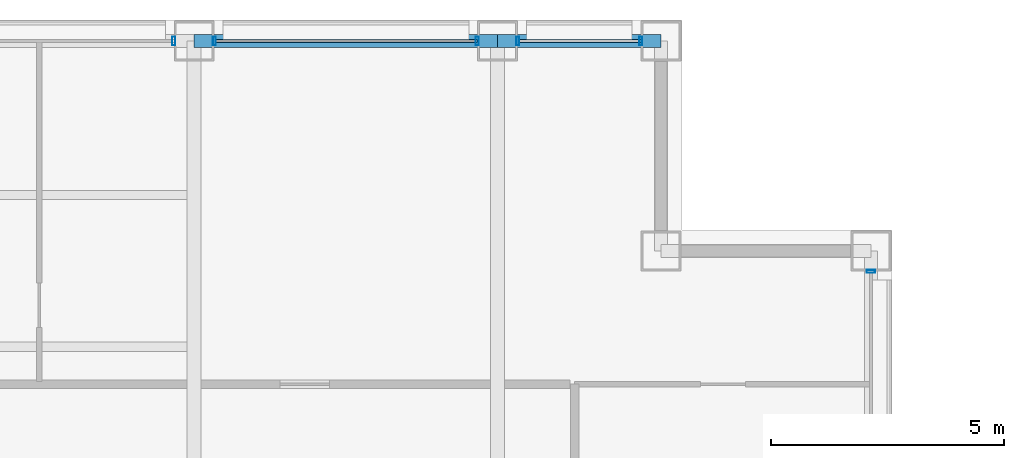
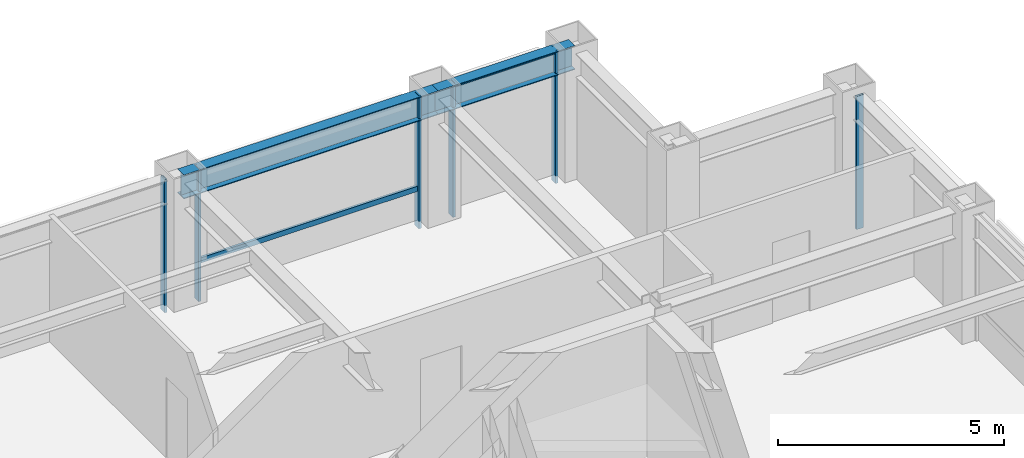
# One storey, part 21 of 29: 8 members, 2 beams, 4 elements without a shape of their own.
"""IFC4 building model written with IfcOpenShell, lengths in metres."""

from ifc_helpers import new_model, si_unit, direction, frame, origin, origin_2d, place, context, subcontext, project, spatial, hollow_rectangle, i_section, extrude, material, layer, layer_set, material_profile, profile_set, type_object, element, aggregate, save


model = new_model("IFC4")

# Units and contexts
model_context = context("Model", 3, precision=1e-05, world=origin(), true_north=direction((0.0, 1.0)))
body_context = subcontext(model_context, "Body", "Model", "MODEL_VIEW")
ifc_project = project(units=[si_unit("LENGTHUNIT", "METRE"), si_unit("AREAUNIT", "SQUARE_METRE"), si_unit("VOLUMEUNIT", "CUBIC_METRE"), si_unit("PLANEANGLEUNIT", "RADIAN"), si_unit("MASSUNIT", "GRAM", prefix="KILO")], contexts=[model_context])

# Site, building, storey
site_placement = place(None, origin())
site = spatial("IfcSite", under=ifc_project, at=site_placement, CompositionType="ELEMENT")
building_placement = place(site_placement, origin())
building = spatial("IfcBuilding", under=site, at=building_placement, Name="Brelmoor Portico Tower", CompositionType="ELEMENT")
storey_placement = place(building_placement, frame((0.0, 0.0, 95.39990234375)))
storey = spatial("IfcBuildingStorey", under=building, at=storey_placement, Name="L24", CompositionType="ELEMENT", Elevation=95.39990234375)

# Beams
ifc_material_1 = material(Name="Steel Q355B", Category="steel")
ifc_material_profile_1 = material_profile(ifc_material_1, i_section(OverallWidth=0.280029296875, OverallDepth=0.64990234375, WebThickness=0.012939453125, FlangeThickness=0.02197265625, at=origin_2d()), Name="HN 650x280x13x22")
ifc_profile_set_1 = profile_set([ifc_material_profile_1], Name="Steel Q355B")
beam_type = type_object("IfcBeamType", Name="BM-SP-650", PredefinedType="SPANDREL", material=ifc_profile_set_1)
beam_1_placement = place(storey_placement, frame((8.050048828125, 19.550048828125, 3.0751953125), z_axis=(1.0, 0.0, 0.0), x_axis=(0.0, 1.0, 0.0)))
element("IfcBeam", 1, at=beam_1_placement, inside=storey, type_object=beam_type, Name="L24 Perimeter Spandrel Beam SP-13", PredefinedType="SPANDREL", context=body_context, shape_type="SweptSolid", body=[
    extrude(i_section(OverallWidth=0.280029296875, OverallDepth=0.64990234375, WebThickness=0.012939453125, FlangeThickness=0.02197265625, at=origin_2d()), origin(), (0.0, 0.0, 1.0), 6.5),
])
beam_2_placement = place(storey_placement, frame((14.550048828125, 19.550048828125, 3.0751953125), z_axis=(1.0, 0.0, 0.0), x_axis=(0.0, 1.0, 0.0)))
element("IfcBeam", 2, at=beam_2_placement, inside=storey, type_object=beam_type, Name="L24 Perimeter Spandrel Beam SP-14", PredefinedType="SPANDREL", context=body_context, shape_type="SweptSolid", body=[
    extrude(i_section(OverallWidth=0.280029296875, OverallDepth=0.64990234375, WebThickness=0.012939453125, FlangeThickness=0.02197265625, at=origin_2d()), origin(), (0.0, 0.0, 1.0), 3.5),
])

# Curtain wall, member
ifc_material_2 = material(Name="Anodised Aluminium Alloy 6063-T6", Category="aluminium")
ifc_layer_1 = layer(ifc_material_2, 0.179931640625)
ifc_layer_set_1 = layer_set([ifc_layer_1], Name="Anodised Aluminium Alloy 6063-T6")
curtain_wall_type_1 = type_object("IfcCurtainWallType", Name="CW-TOWER-Z2-XB", PredefinedType="NOTDEFINED", material=ifc_layer_set_1)
curtain_wall_1_placement = place(storey_placement, origin())
curtain_wall_1 = element("IfcCurtainWall", 3, at=curtain_wall_1_placement, inside=storey, type_object=curtain_wall_type_1, Name="L24 Curtain Wall CW-L24-02-3", PredefinedType="NOTDEFINED")
ifc_material_profile_2 = material_profile(ifc_material_2, hollow_rectangle(XDim=0.06494140625, YDim=0.179931640625, WallThickness=0.00390625, at=origin_2d()), Name="ALU MULLION 65x180")
ifc_profile_set_2 = profile_set([ifc_material_profile_2], Name="Anodised Aluminium Alloy 6063-T6")
member_type_1 = type_object("IfcMemberType", Name="MB-CW-MULL-180", PredefinedType="MULLION", material=ifc_profile_set_2)
member_1_placement = place(storey_placement, frame((7.614990234375, 19.550048828125, -0.199951171875), z_axis=(0.0, 0.0, 1.0), x_axis=(1.0, 0.0, 0.0)))
member_1 = element("IfcMember", 4, at=member_1_placement, type_object=member_type_1, Name="CW-L24-02-3 Mullion 01", PredefinedType="MULLION", context=body_context, shape_type="SweptSolid", body=[
    extrude(hollow_rectangle(XDim=0.06494140625, YDim=0.179931640625, WallThickness=0.00390625, at=origin_2d()), origin(), (0.0, 0.0, 1.0), 3.60009765625),
])
aggregate(curtain_wall_1, [member_1])

# Curtain wall, members
ifc_layer_2 = layer(ifc_material_2, 0.179931640625)
ifc_layer_set_2 = layer_set([ifc_layer_2], Name="Anodised Aluminium Alloy 6063-T6")
curtain_wall_type_2 = type_object("IfcCurtainWallType", Name="CW-TOWER-Z2", PredefinedType="NOTDEFINED", material=ifc_layer_set_2)
curtain_wall_2_placement = place(storey_placement, origin())
curtain_wall_2 = element("IfcCurtainWall", 5, at=curtain_wall_2_placement, inside=storey, type_object=curtain_wall_type_2, Name="L24 Curtain Wall CW-L24-02-4", PredefinedType="NOTDEFINED")
member_2_placement = place(storey_placement, frame((8.485107421875, 19.550048828125, -0.199951171875), z_axis=(0.0, 0.0, 1.0), x_axis=(1.0, 0.0, 0.0)))
member_2 = element("IfcMember", 6, at=member_2_placement, type_object=member_type_1, Name="CW-L24-02-4 Mullion 00", PredefinedType="MULLION", context=body_context, shape_type="SweptSolid", body=[
    extrude(hollow_rectangle(XDim=0.06494140625, YDim=0.179931640625, WallThickness=0.00390625, at=origin_2d()), origin(), (0.0, 0.0, 1.0), 3.60009765625),
])
member_3_placement = place(storey_placement, frame((14.114990234375, 19.550048828125, -0.199951171875), z_axis=(0.0, 0.0, 1.0), x_axis=(1.0, 0.0, 0.0)))
member_3 = element("IfcMember", 7, at=member_3_placement, type_object=member_type_1, Name="CW-L24-02-4 Mullion 01", PredefinedType="MULLION", context=body_context, shape_type="SweptSolid", body=[
    extrude(hollow_rectangle(XDim=0.06494140625, YDim=0.179931640625, WallThickness=0.00390625, at=origin_2d()), origin(), (0.0, 0.0, 1.0), 3.60009765625),
])

curtain_wall_3_placement = place(storey_placement, origin())
curtain_wall_3 = element("IfcCurtainWall", 8, at=curtain_wall_3_placement, inside=storey, type_object=curtain_wall_type_1, Name="L24 Curtain Wall CW-L24-02-5", PredefinedType="NOTDEFINED")
member_4_placement = place(storey_placement, frame((14.985107421875, 19.550048828125, -0.199951171875), z_axis=(0.0, 0.0, 1.0), x_axis=(1.0, 0.0, 0.0)))
member_4 = element("IfcMember", 9, at=member_4_placement, type_object=member_type_1, Name="CW-L24-02-5 Mullion 00", PredefinedType="MULLION", context=body_context, shape_type="SweptSolid", body=[
    extrude(hollow_rectangle(XDim=0.06494140625, YDim=0.179931640625, WallThickness=0.00390625, at=origin_2d()), origin(), (0.0, 0.0, 1.0), 3.60009765625),
])
member_5_placement = place(storey_placement, frame((17.614990234375, 19.550048828125, -0.199951171875), z_axis=(0.0, 0.0, 1.0), x_axis=(1.0, 0.0, 0.0)))
member_5 = element("IfcMember", 10, at=member_5_placement, type_object=member_type_1, Name="CW-L24-02-5 Mullion 01", PredefinedType="MULLION", context=body_context, shape_type="SweptSolid", body=[
    extrude(hollow_rectangle(XDim=0.06494140625, YDim=0.179931640625, WallThickness=0.00390625, at=origin_2d()), origin(), (0.0, 0.0, 1.0), 3.60009765625),
])

# Curtain wall, member
curtain_wall_4_placement = place(storey_placement, origin())
curtain_wall_4 = element("IfcCurtainWall", 11, at=curtain_wall_4_placement, inside=storey, type_object=curtain_wall_type_1, Name="L24 Curtain Wall CW-L24-4R-2", PredefinedType="NOTDEFINED")
member_6_placement = place(storey_placement, frame((22.550048828125, 14.614990234375, -0.199951171875), z_axis=(0.0, 0.0, 1.0), x_axis=(0.0, 1.0, 0.0)))
member_6 = element("IfcMember", 12, at=member_6_placement, type_object=member_type_1, Name="CW-L24-4R-2 Mullion 01", PredefinedType="MULLION", context=body_context, shape_type="SweptSolid", body=[
    extrude(hollow_rectangle(XDim=0.06494140625, YDim=0.179931640625, WallThickness=0.00390625, at=origin_2d()), origin(), (0.0, 0.0, 1.0), 3.60009765625),
])
aggregate(curtain_wall_4, [member_6])

# Member
ifc_material_profile_3 = material_profile(ifc_material_2, hollow_rectangle(XDim=0.06494140625, YDim=0.139892578125, WallThickness=0.00390625, at=origin_2d()), Name="ALU TRANSOM 65x140")
ifc_profile_set_3 = profile_set([ifc_material_profile_3], Name="Anodised Aluminium Alloy 6063-T6")
member_type_2 = type_object("IfcMemberType", Name="MB-CW-TRAN-140", PredefinedType="USERDEFINED", material=ifc_profile_set_3)
member_7_placement = place(storey_placement, frame((8.485107421875, 19.550048828125, 0.85009765625), z_axis=(1.0, 0.0, 0.0), x_axis=(0.0, 1.0, 0.0)))
member_7 = element("IfcMember", 13, at=member_7_placement, type_object=member_type_2, Name="CW-L24-02-4 Transom 1-00", ObjectType="TRANSOM", PredefinedType="USERDEFINED", context=body_context, shape_type="SweptSolid", body=[
    extrude(hollow_rectangle(XDim=0.06494140625, YDim=0.139892578125, WallThickness=0.00390625, at=origin_2d()), origin(), (0.0, 0.0, 1.0), 5.6298828125),
])

aggregate(curtain_wall_2, [member_2, member_3, member_7])

member_8_placement = place(storey_placement, frame((14.985107421875, 19.550048828125, 3.330078125), z_axis=(1.0, 0.0, 0.0), x_axis=(0.0, 1.0, 0.0)))
member_8 = element("IfcMember", 14, at=member_8_placement, type_object=member_type_2, Name="CW-L24-02-5 Transom 1-00", ObjectType="TRANSOM", PredefinedType="USERDEFINED", context=body_context, shape_type="SweptSolid", body=[
    extrude(hollow_rectangle(XDim=0.06494140625, YDim=0.139892578125, WallThickness=0.00390625, at=origin_2d()), origin(), (0.0, 0.0, 1.0), 2.6298828125),
])

aggregate(curtain_wall_3, [member_4, member_5, member_8])

save(model, "model.ifc")
